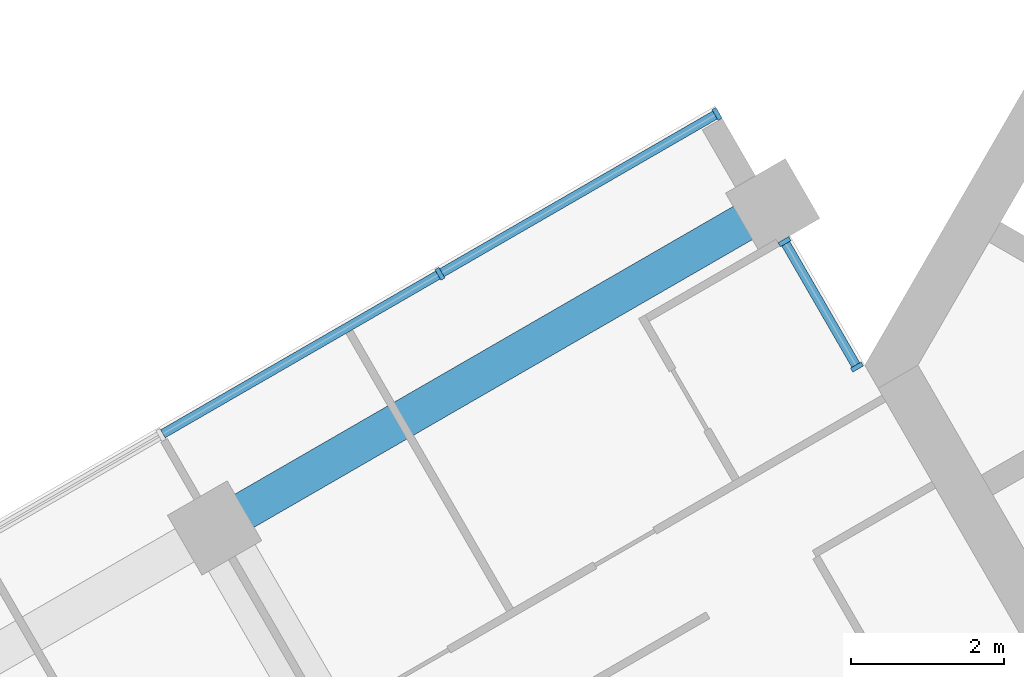
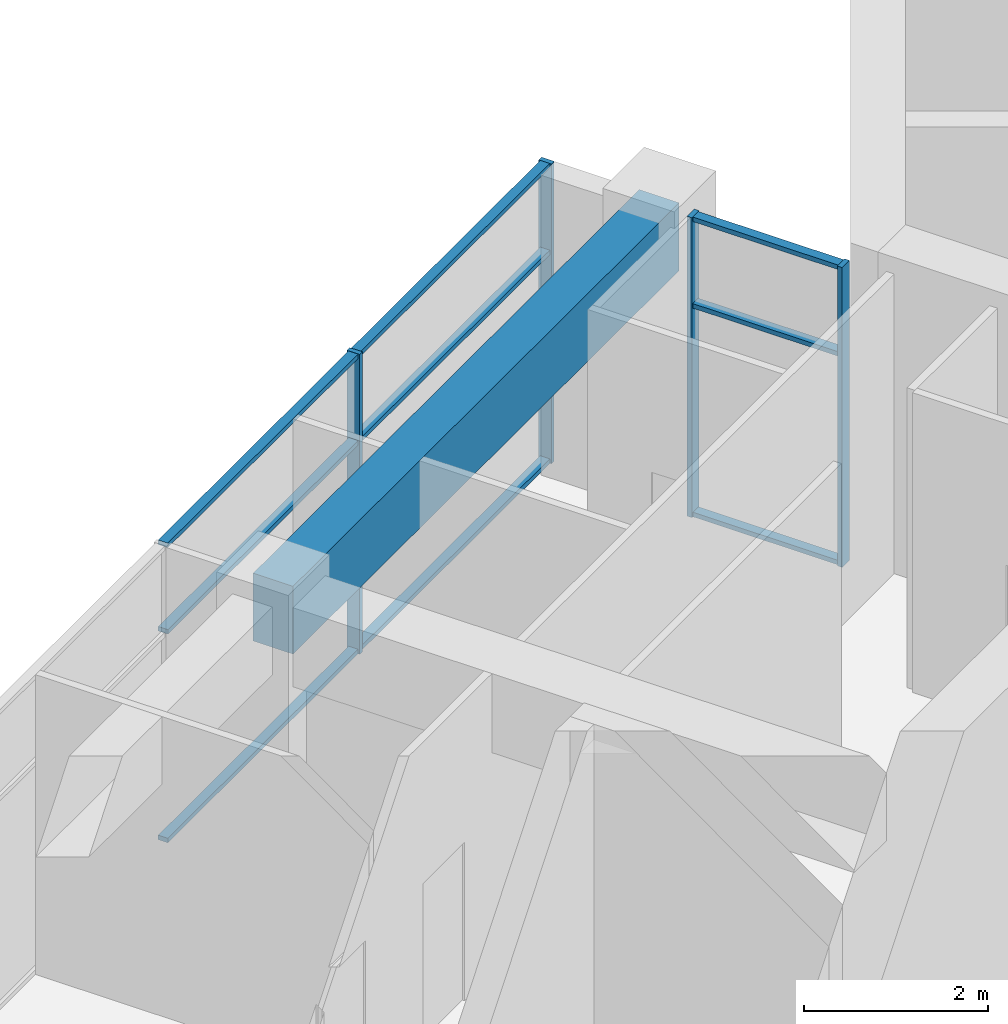
# One storey, part 3 of 15: 13 members, 1 beam, 2 elements without a shape of their own.
"""IFC4 building model written with IfcOpenShell, lengths in metres."""

from ifc_helpers import new_model, si_unit, direction, frame, origin, origin_2d, place, context, subcontext, project, spatial, rectangle, extrude, material, material_profile, profile_set, type_object, element, aggregate, save


model = new_model("IFC4")

# Units and contexts
model_context = context("Model", 3, precision=1e-05, world=origin(), true_north=direction((0.0, 1.0)))
body_context = subcontext(model_context, "Body", "Model", "MODEL_VIEW")
ifc_project = project(units=[si_unit("LENGTHUNIT", "METRE"), si_unit("AREAUNIT", "SQUARE_METRE"), si_unit("VOLUMEUNIT", "CUBIC_METRE"), si_unit("PLANEANGLEUNIT", "RADIAN"), si_unit("MASSUNIT", "GRAM", prefix="KILO")], contexts=[model_context])

# Site, building, storey
site_placement = place(None, origin())
site = spatial("IfcSite", under=ifc_project, at=site_placement, CompositionType="ELEMENT")
building_placement = place(site_placement, origin())
building = spatial("IfcBuilding", under=site, at=building_placement, Name="Impinga Residences", CompositionType="ELEMENT")
storey_placement = place(building_placement, frame((0.0, 0.0, 274.75)))
storey = spatial("IfcBuildingStorey", under=building, at=storey_placement, Name="L69", CompositionType="ELEMENT", Elevation=274.75)

# Curtain wall, members
ifc_material_1 = material(Name="Aluminium stick curtain wall", Category="aluminium")
curtain_wall_type = type_object("IfcCurtainWallType", Name="CW3 penthouse curtain wall", PredefinedType="USERDEFINED", material=ifc_material_1)
curtain_wall_1_placement = place(storey_placement, origin())
curtain_wall_1 = element("IfcCurtainWall", 1, at=curtain_wall_1_placement, inside=storey, type_object=curtain_wall_type, Name="Curtain wall CW3 L69", ObjectType="STICK CURTAIN WALL", PredefinedType="USERDEFINED")
ifc_material_2 = material(Name="Aluminium mullion", Category="aluminium")
ifc_material_profile_1 = material_profile(ifc_material_2, rectangle(XDim=0.06005859375, YDim=0.159912109375, at=origin_2d()), Name="60x160 mullion")
ifc_profile_set_1 = profile_set([ifc_material_profile_1], Name="Aluminium mullion")
member_type_1 = type_object("IfcMemberType", Name="CW3-M mullion 60x160", PredefinedType="MULLION", material=ifc_profile_set_1)
member_1_placement = place(storey_placement, frame((-18.7373046875, 1.19091796875, 0.0), z_axis=(0.0, 0.0, 1.0), x_axis=(0.866025407005, 0.499999994423, 0.0)))
member_1 = element("IfcMember", 2, at=member_1_placement, type_object=member_type_1, Name="CW3 mullion 4", PredefinedType="MULLION", context=body_context, shape_type="SweptSolid", body=[
    extrude(rectangle(XDim=0.06005859375, YDim=0.159912109375, at=origin_2d()), origin(), (0.0, 0.0, 1.0), 3.97998046875),
])
member_2_placement = place(storey_placement, frame((-15.1259765625, 3.27587890625, 0.0), z_axis=(0.0, 0.0, 1.0), x_axis=(0.866025407005, 0.499999994423, 0.0)))
member_2 = element("IfcMember", 3, at=member_2_placement, type_object=member_type_1, Name="CW3 mullion 5", PredefinedType="MULLION", context=body_context, shape_type="SweptSolid", body=[
    extrude(rectangle(XDim=0.06005859375, YDim=0.159912109375, at=origin_2d()), origin(), (0.0, 0.0, 1.0), 3.97998046875),
])

curtain_wall_2_placement = place(storey_placement, origin())
curtain_wall_2 = element("IfcCurtainWall", 4, at=curtain_wall_2_placement, inside=storey, type_object=curtain_wall_type, Name="Curtain wall CW3 L69", ObjectType="STICK CURTAIN WALL", PredefinedType="USERDEFINED")
member_3_placement = place(storey_placement, frame((-14.2451171875, 1.610107421875, 0.0), z_axis=(0.0, 0.0, 1.0), x_axis=(0.50000010257, -0.866025344565, 0.0)))
member_3 = element("IfcMember", 5, at=member_3_placement, type_object=member_type_1, Name="CW3 mullion 1", PredefinedType="MULLION", context=body_context, shape_type="SweptSolid", body=[
    extrude(rectangle(XDim=0.06005859375, YDim=0.159912109375, at=origin_2d()), origin(), (0.0, 0.0, 1.0), 3.97998046875),
])
member_4_placement = place(storey_placement, frame((-13.301513671875, -0.02392578125, 0.0), z_axis=(0.0, 0.0, 1.0), x_axis=(0.50000010257, -0.866025344565, 0.0)))
member_4 = element("IfcMember", 6, at=member_4_placement, type_object=member_type_1, Name="CW3 mullion 2", PredefinedType="MULLION", context=body_context, shape_type="SweptSolid", body=[
    extrude(rectangle(XDim=0.06005859375, YDim=0.159912109375, at=origin_2d()), origin(), (0.0, 0.0, 1.0), 3.97998046875),
])

# Member
ifc_material_3 = material(Name="Aluminium transom", Category="aluminium")
ifc_material_profile_2 = material_profile(ifc_material_3, rectangle(XDim=0.06005859375, YDim=0.1201171875, at=origin_2d()), Name="60x120 transom")
ifc_profile_set_2 = profile_set([ifc_material_profile_2], Name="Aluminium transom")
member_type_2 = type_object("IfcMemberType", Name="CW3-T transom 60x120", PredefinedType="USERDEFINED", material=ifc_profile_set_2)
member_5_placement = place(storey_placement, frame((-22.3486328125, -0.89404296875, 0.030029296875), z_axis=(0.866050071143, 0.499957272447, 0.0), x_axis=(0.0, 0.0, 1.0)))
member_5 = element("IfcMember", 7, at=member_5_placement, type_object=member_type_2, Name="CW3 transom 3.1", ObjectType="TRANSOM", PredefinedType="USERDEFINED", context=body_context, shape_type="SweptSolid", body=[
    extrude(rectangle(XDim=0.06005859375, YDim=0.1201171875, at=origin_2d()), origin(), (0.0, 0.0, 1.0), 4.139892578125),
])

member_6_placement = place(storey_placement, frame((-22.3486328125, -0.89404296875, 2.800048828125), z_axis=(0.866050071143, 0.499957272447, 0.0), x_axis=(0.0, 0.0, 1.0)))
member_6 = element("IfcMember", 8, at=member_6_placement, type_object=member_type_2, Name="CW3 transom 3.2", ObjectType="TRANSOM", PredefinedType="USERDEFINED", context=body_context, shape_type="SweptSolid", body=[
    extrude(rectangle(XDim=0.06005859375, YDim=0.1201171875, at=origin_2d()), origin(), (0.0, 0.0, 1.0), 4.139892578125),
])

member_7_placement = place(storey_placement, frame((-22.3486328125, -0.89404296875, 3.949951171875), z_axis=(0.866050071143, 0.499957272447, 0.0), x_axis=(0.0, 0.0, 1.0)))
member_7 = element("IfcMember", 9, at=member_7_placement, type_object=member_type_2, Name="CW3 transom 3.3", ObjectType="TRANSOM", PredefinedType="USERDEFINED", context=body_context, shape_type="SweptSolid", body=[
    extrude(rectangle(XDim=0.06005859375, YDim=0.1201171875, at=origin_2d()), origin(), (0.0, 0.0, 1.0), 4.139892578125),
])

member_8_placement = place(storey_placement, frame((-18.71142578125, 1.205810546875, 0.030029296875), z_axis=(0.866019409031, 0.500010383074, 0.0), x_axis=(0.0, 0.0, 1.0)))
member_8 = element("IfcMember", 10, at=member_8_placement, type_object=member_type_2, Name="CW3 transom 4.1", ObjectType="TRANSOM", PredefinedType="USERDEFINED", context=body_context, shape_type="SweptSolid", body=[
    extrude(rectangle(XDim=0.06005859375, YDim=0.1201171875, at=origin_2d()), origin(), (0.0, 0.0, 1.0), 4.1103515625),
])

member_9_placement = place(storey_placement, frame((-18.71142578125, 1.205810546875, 2.800048828125), z_axis=(0.866019409031, 0.500010383074, 0.0), x_axis=(0.0, 0.0, 1.0)))
member_9 = element("IfcMember", 11, at=member_9_placement, type_object=member_type_2, Name="CW3 transom 4.2", ObjectType="TRANSOM", PredefinedType="USERDEFINED", context=body_context, shape_type="SweptSolid", body=[
    extrude(rectangle(XDim=0.06005859375, YDim=0.1201171875, at=origin_2d()), origin(), (0.0, 0.0, 1.0), 4.1103515625),
])

member_10_placement = place(storey_placement, frame((-18.71142578125, 1.205810546875, 3.949951171875), z_axis=(0.866019409031, 0.500010383074, 0.0), x_axis=(0.0, 0.0, 1.0)))
member_10 = element("IfcMember", 12, at=member_10_placement, type_object=member_type_2, Name="CW3 transom 4.3", ObjectType="TRANSOM", PredefinedType="USERDEFINED", context=body_context, shape_type="SweptSolid", body=[
    extrude(rectangle(XDim=0.06005859375, YDim=0.1201171875, at=origin_2d()), origin(), (0.0, 0.0, 1.0), 4.1103515625),
])

aggregate(curtain_wall_1, [member_1, member_2, member_5, member_6, member_7, member_8, member_9, member_10])

member_11_placement = place(storey_placement, frame((-14.230224609375, 1.584228515625, 0.030029296875), z_axis=(0.500019332402, -0.866014241929, 0.0), x_axis=(0.0, 0.0, 1.0)))
member_11 = element("IfcMember", 13, at=member_11_placement, type_object=member_type_2, Name="CW3 transom 1.1", ObjectType="TRANSOM", PredefinedType="USERDEFINED", context=body_context, shape_type="SweptSolid", body=[
    extrude(rectangle(XDim=0.06005859375, YDim=0.1201171875, at=origin_2d()), origin(), (0.0, 0.0, 1.0), 1.8271484375),
])

member_12_placement = place(storey_placement, frame((-14.230224609375, 1.584228515625, 2.800048828125), z_axis=(0.500019332402, -0.866014241929, 0.0), x_axis=(0.0, 0.0, 1.0)))
member_12 = element("IfcMember", 14, at=member_12_placement, type_object=member_type_2, Name="CW3 transom 1.2", ObjectType="TRANSOM", PredefinedType="USERDEFINED", context=body_context, shape_type="SweptSolid", body=[
    extrude(rectangle(XDim=0.06005859375, YDim=0.1201171875, at=origin_2d()), origin(), (0.0, 0.0, 1.0), 1.8271484375),
])

member_13_placement = place(storey_placement, frame((-14.230224609375, 1.584228515625, 3.949951171875), z_axis=(0.500019332402, -0.866014241929, 0.0), x_axis=(0.0, 0.0, 1.0)))
member_13 = element("IfcMember", 15, at=member_13_placement, type_object=member_type_2, Name="CW3 transom 1.3", ObjectType="TRANSOM", PredefinedType="USERDEFINED", context=body_context, shape_type="SweptSolid", body=[
    extrude(rectangle(XDim=0.06005859375, YDim=0.1201171875, at=origin_2d()), origin(), (0.0, 0.0, 1.0), 1.8271484375),
])

aggregate(curtain_wall_2, [member_3, member_4, member_11, member_12, member_13])

# Beam
ifc_material_4 = material(Name="Concrete C60/75", Category="concrete")
ifc_material_profile_3 = material_profile(ifc_material_4, rectangle(XDim=0.5, YDim=0.89990234375, at=origin_2d()), Name="RC 500x900")
ifc_profile_set_3 = profile_set([ifc_material_profile_3], Name="Concrete C60/75")
beam_type = type_object("IfcBeamType", Name="SB1 500x900 perimeter spandrel beam", PredefinedType="SPANDREL", material=ifc_profile_set_3)
beam_placement = place(storey_placement, frame((-14.39990234375, 2.078369140625, 3.530029296875), z_axis=(-0.86602925447, -0.499993330357, 0.0), x_axis=(0.499993330357, -0.86602925447, 0.0)))
element("IfcBeam", 16, at=beam_placement, inside=storey, type_object=beam_type, Name="Beam SB1 WF W1-W2 level L70", PredefinedType="SPANDREL", context=body_context, shape_type="SweptSolid", body=[
    extrude(rectangle(XDim=0.5, YDim=0.89990234375, at=origin_2d()), origin(), (0.0, 0.0, 1.0), 8.39990234375),
])

save(model, "model.ifc")
